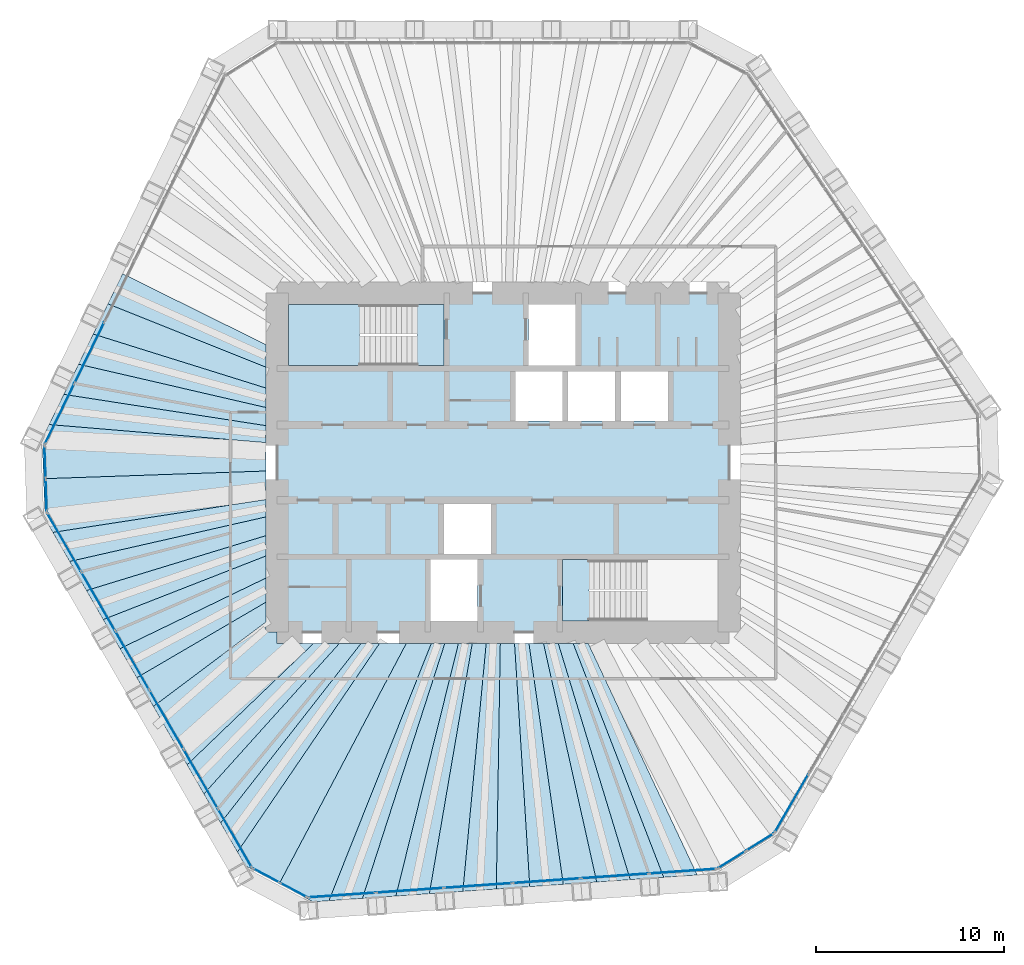
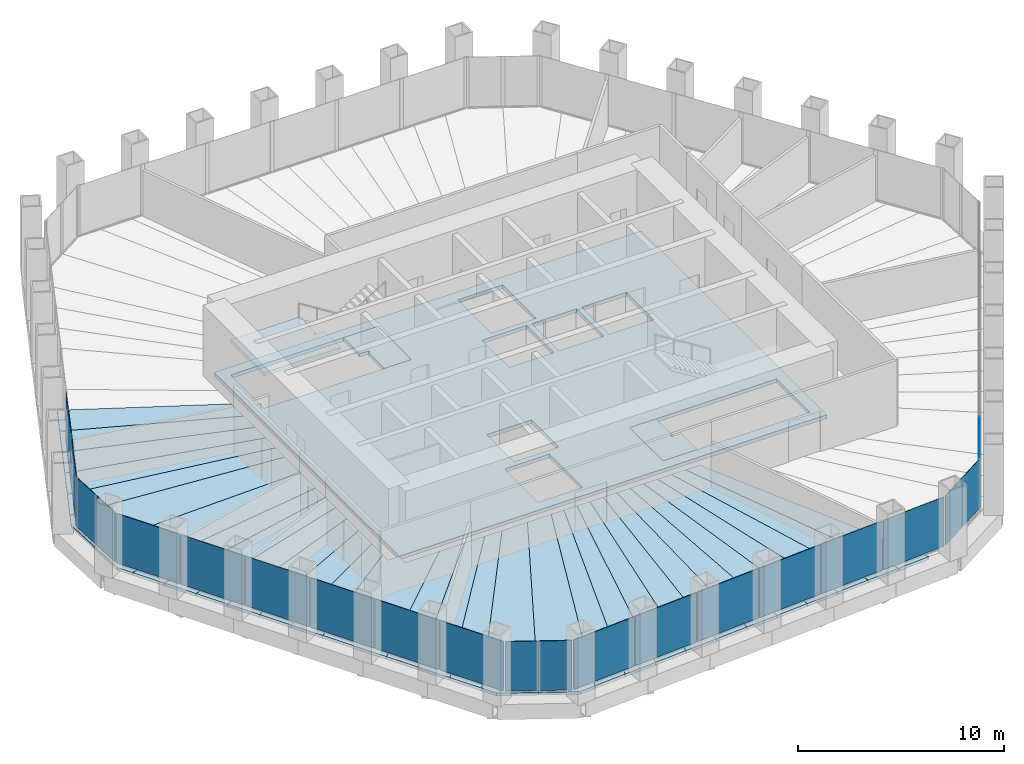
# One storey, part 7 of 12: 34 slabs, 21 plates, 9 elements without a shape of their own.
"""IFC4 building model written with IfcOpenShell, lengths in metres."""

from ifc_helpers import new_model, si_unit, direction, frame, origin, origin_2d, place, context, subcontext, project, spatial, polyline, rectangle, outline, extrude, material, layer, layer_set, type_object, element, aggregate, save


model = new_model("IFC4")

# Units and contexts
model_context = context("Model", 3, precision=1e-05, world=origin(), true_north=direction((0.0, 1.0)))
body_context = subcontext(model_context, "Body", "Model", "MODEL_VIEW")
ifc_project = project(units=[si_unit("LENGTHUNIT", "METRE"), si_unit("AREAUNIT", "SQUARE_METRE"), si_unit("VOLUMEUNIT", "CUBIC_METRE"), si_unit("PLANEANGLEUNIT", "RADIAN"), si_unit("MASSUNIT", "GRAM", prefix="KILO")], contexts=[model_context])

# Site, building, storey
site_placement = place(None, origin())
site = spatial("IfcSite", under=ifc_project, at=site_placement, CompositionType="ELEMENT")
building_placement = place(site_placement, origin())
building = spatial("IfcBuilding", under=site, at=building_placement, Name="Qingtian Harvest Tower", CompositionType="ELEMENT")
storey_placement = place(building_placement, frame((0.0, 0.0, 251.800048828125)))
storey = spatial("IfcBuildingStorey", under=building, at=storey_placement, Name="L55", CompositionType="ELEMENT", Elevation=251.800048828125)

# Slabs
ifc_material_1 = material(Name="Concrete fc' 35 MPa", Category="concrete")
ifc_layer_1 = layer(ifc_material_1, 0.169921875)
ifc_layer_set_1 = layer_set([ifc_layer_1], Name="Composite floor slab FS17 170")
slab_type_1 = type_object("IfcSlabType", Name="Composite floor slab FS17 170", PredefinedType="FLOOR", material=ifc_layer_set_1)
slab_1_placement = place(storey_placement, frame((0.0, 0.0, -0.170166015625)))
element("IfcSlab", 1, at=slab_1_placement, inside=storey, type_object=slab_type_1, Name="Floor slab L55 panel D01", PredefinedType="FLOOR", context=body_context, shape_type="SweptSolid", body=[
    extrude(outline(polyline([(-24.403564453125, -0.852294921875), (-12.60009765625, -0.443115234375), (-12.60009765625, -1.958984375), (-23.9072265625, -3.701416015625), (-24.32958984375, -2.969970703125), (-24.403564453125, -0.852294921875)])), origin(), (0.0, 0.0, 1.0), 0.170166015625),
])
slab_2_placement = place(storey_placement, frame((0.0, 0.0, -0.170166015625)))
element("IfcSlab", 2, at=slab_2_placement, inside=storey, type_object=slab_type_1, Name="Floor slab L55 panel D02", PredefinedType="FLOOR", context=body_context, shape_type="SweptSolid", body=[
    extrude(outline(polyline([(-12.60009765625, -2.880126953125), (-23.016357421875, -5.244384765625), (-23.9072265625, -3.701416015625), (-12.60009765625, -1.958984375), (-12.60009765625, -2.880126953125)])), origin(), (0.0, 0.0, 1.0), 0.170166015625),
])
slab_3_placement = place(storey_placement, frame((0.0, 0.0, -0.170166015625)))
element("IfcSlab", 3, at=slab_3_placement, inside=storey, type_object=slab_type_1, Name="Floor slab L55 panel D03", PredefinedType="FLOOR", context=body_context, shape_type="SweptSolid", body=[
    extrude(outline(polyline([(-12.60009765625, -3.87548828125), (-22.12548828125, -6.78759765625), (-23.016357421875, -5.244384765625), (-12.60009765625, -2.880126953125), (-12.60009765625, -3.87548828125)])), origin(), (0.0, 0.0, 1.0), 0.170166015625),
])
slab_4_placement = place(storey_placement, frame((0.0, 0.0, -0.170166015625)))
element("IfcSlab", 4, at=slab_4_placement, inside=storey, type_object=slab_type_1, Name="Floor slab L55 panel D04", PredefinedType="FLOOR", context=body_context, shape_type="SweptSolid", body=[
    extrude(outline(polyline([(-12.60009765625, -4.95458984375), (-21.234619140625, -8.33056640625), (-22.12548828125, -6.78759765625), (-12.60009765625, -3.87548828125), (-12.60009765625, -4.95458984375)])), origin(), (0.0, 0.0, 1.0), 0.170166015625),
])
slab_5_placement = place(storey_placement, frame((0.0, 0.0, -0.170166015625)))
element("IfcSlab", 5, at=slab_5_placement, inside=storey, type_object=slab_type_1, Name="Floor slab L55 panel D05", PredefinedType="FLOOR", context=body_context, shape_type="SweptSolid", body=[
    extrude(outline(polyline([(-12.60009765625, -6.128173828125), (-20.34375, -9.87353515625), (-21.234619140625, -8.33056640625), (-12.60009765625, -4.95458984375), (-12.60009765625, -6.128173828125)])), origin(), (0.0, 0.0, 1.0), 0.170166015625),
])
slab_6_placement = place(storey_placement, frame((0.0, 0.0, -0.170166015625)))
element("IfcSlab", 6, at=slab_6_placement, inside=storey, type_object=slab_type_1, Name="Floor slab L55 panel D06", PredefinedType="FLOOR", context=body_context, shape_type="SweptSolid", body=[
    extrude(outline(polyline([(-12.60009765625, -7.409423828125), (-19.452880859375, -11.41650390625), (-20.34375, -9.87353515625), (-12.60009765625, -6.128173828125), (-12.60009765625, -7.409423828125)])), origin(), (0.0, 0.0, 1.0), 0.170166015625),
])
slab_7_placement = place(storey_placement, frame((0.0, 0.0, -0.170166015625)))
element("IfcSlab", 7, at=slab_7_placement, inside=storey, type_object=slab_type_1, Name="Floor slab L55 panel D07", PredefinedType="FLOOR", context=body_context, shape_type="SweptSolid", body=[
    extrude(outline(polyline([(-12.60009765625, -8.46435546875), (-18.5703125, -12.9453125), (-19.452880859375, -11.41650390625), (-12.60009765625, -7.409423828125), (-12.60009765625, -8.46435546875)])), origin(), (0.0, 0.0, 1.0), 0.170166015625),
])
slab_8_placement = place(storey_placement, frame((0.0, 0.0, -0.170166015625)))
element("IfcSlab", 8, at=slab_8_placement, inside=storey, type_object=slab_type_1, Name="Floor slab L55 panel D09", PredefinedType="FLOOR", context=body_context, shape_type="SweptSolid", body=[
    extrude(outline(polyline([(-16.781494140625, -16.043701171875), (-18.5703125, -12.9453125), (-12.60009765625, -8.46435546875), (-12.60009765625, -9.0), (-12.0, -9.0), (-12.0, -9.60009765625), (-10.07666015625, -9.60009765625), (-16.781494140625, -16.043701171875)])), origin(), (0.0, 0.0, 1.0), 0.170166015625),
])
slab_9_placement = place(storey_placement, frame((0.0, 0.0, -0.170166015625)))
element("IfcSlab", 9, at=slab_9_placement, inside=storey, type_object=slab_type_1, Name="Floor slab L55 panel D10", PredefinedType="FLOOR", context=body_context, shape_type="SweptSolid", body=[
    extrude(outline(polyline([(-8.700927734375, -9.60009765625), (-15.890380859375, -17.5869140625), (-16.781494140625, -16.043701171875), (-10.07666015625, -9.60009765625), (-8.700927734375, -9.60009765625)])), origin(), (0.0, 0.0, 1.0), 0.170166015625),
])
slab_10_placement = place(storey_placement, frame((0.0, 0.0, -0.170166015625)))
element("IfcSlab", 10, at=slab_10_placement, inside=storey, type_object=slab_type_1, Name="Floor slab L55 panel D11", PredefinedType="FLOOR", context=body_context, shape_type="SweptSolid", body=[
    extrude(outline(polyline([(-7.548095703125, -9.60009765625), (-14.99951171875, -19.1298828125), (-15.890380859375, -17.5869140625), (-8.700927734375, -9.60009765625), (-7.548095703125, -9.60009765625)])), origin(), (0.0, 0.0, 1.0), 0.170166015625),
])
slab_11_placement = place(storey_placement, frame((0.0, 0.0, -0.170166015625)))
element("IfcSlab", 11, at=slab_11_placement, inside=storey, type_object=slab_type_1, Name="Floor slab L55 panel D12", PredefinedType="FLOOR", context=body_context, shape_type="SweptSolid", body=[
    extrude(outline(polyline([(-6.568359375, -9.60009765625), (-14.108642578125, -20.673095703125), (-14.99951171875, -19.1298828125), (-7.548095703125, -9.60009765625), (-6.568359375, -9.60009765625)])), origin(), (0.0, 0.0, 1.0), 0.170166015625),
])
slab_12_placement = place(storey_placement, frame((0.0, 0.0, -0.170166015625)))
element("IfcSlab", 12, at=slab_12_placement, inside=storey, type_object=slab_type_1, Name="Floor slab L55 panel D13", PredefinedType="FLOOR", context=body_context, shape_type="SweptSolid", body=[
    extrude(outline(polyline([(-6.568359375, -9.60009765625), (-5.14501953125, -9.60009765625), (-11.890380859375, -22.359619140625), (-13.686279296875, -21.40478515625), (-14.108642578125, -20.673095703125), (-6.568359375, -9.60009765625)])), origin(), (0.0, 0.0, 1.0), 0.170166015625),
])
slab_13_placement = place(storey_placement, frame((0.0, 0.0, -0.170166015625)))
element("IfcSlab", 13, at=slab_13_placement, inside=storey, type_object=slab_type_1, Name="Floor slab L55 panel D14", PredefinedType="FLOOR", context=body_context, shape_type="SweptSolid", body=[
    extrude(outline(polyline([(-5.14501953125, -9.60009765625), (-3.817138671875, -9.60009765625), (-9.249755859375, -23.2568359375), (-10.092041015625, -23.315673828125), (-11.890380859375, -22.359619140625), (-5.14501953125, -9.60009765625)])), origin(), (0.0, 0.0, 1.0), 0.170166015625),
])
slab_14_placement = place(storey_placement, frame((0.0, 0.0, -0.170166015625)))
element("IfcSlab", 14, at=slab_14_placement, inside=storey, type_object=slab_type_1, Name="Floor slab L55 panel D15", PredefinedType="FLOOR", context=body_context, shape_type="SweptSolid", body=[
    extrude(outline(polyline([(-3.10009765625, -9.60009765625), (-7.472412109375, -23.132568359375), (-9.249755859375, -23.2568359375), (-3.817138671875, -9.60009765625), (-3.10009765625, -9.60009765625)])), origin(), (0.0, 0.0, 1.0), 0.170166015625),
])
slab_15_placement = place(storey_placement, frame((0.0, 0.0, -0.170166015625)))
element("IfcSlab", 15, at=slab_15_placement, inside=storey, type_object=slab_type_1, Name="Floor slab L55 panel D16", PredefinedType="FLOOR", context=body_context, shape_type="SweptSolid", body=[
    extrude(outline(polyline([(-2.375244140625, -9.60009765625), (-5.695068359375, -23.00830078125), (-7.472412109375, -23.132568359375), (-3.10009765625, -9.60009765625), (-2.375244140625, -9.60009765625)])), origin(), (0.0, 0.0, 1.0), 0.170166015625),
])
slab_16_placement = place(storey_placement, frame((0.0, 0.0, -0.170166015625)))
element("IfcSlab", 16, at=slab_16_placement, inside=storey, type_object=slab_type_1, Name="Floor slab L55 panel D17", PredefinedType="FLOOR", context=body_context, shape_type="SweptSolid", body=[
    extrude(outline(polyline([(-1.642578125, -9.60009765625), (-3.91796875, -22.884033203125), (-5.695068359375, -23.00830078125), (-2.375244140625, -9.60009765625), (-1.642578125, -9.60009765625)])), origin(), (0.0, 0.0, 1.0), 0.170166015625),
])
slab_17_placement = place(storey_placement, frame((0.0, 0.0, -0.170166015625)))
element("IfcSlab", 17, at=slab_17_placement, inside=storey, type_object=slab_type_1, Name="Floor slab L55 panel D18", PredefinedType="FLOOR", context=body_context, shape_type="SweptSolid", body=[
    extrude(outline(polyline([(-0.90185546875, -9.60009765625), (-2.140625, -22.759765625), (-3.91796875, -22.884033203125), (-1.642578125, -9.60009765625), (-0.90185546875, -9.60009765625)])), origin(), (0.0, 0.0, 1.0), 0.170166015625),
])
slab_18_placement = place(storey_placement, frame((0.0, 0.0, -0.170166015625)))
element("IfcSlab", 18, at=slab_18_placement, inside=storey, type_object=slab_type_1, Name="Floor slab L55 panel D19", PredefinedType="FLOOR", context=body_context, shape_type="SweptSolid", body=[
    extrude(outline(polyline([(-0.153076171875, -9.60009765625), (-0.36328125, -22.635498046875), (-2.140625, -22.759765625), (-0.90185546875, -9.60009765625), (-0.153076171875, -9.60009765625)])), origin(), (0.0, 0.0, 1.0), 0.170166015625),
])
slab_19_placement = place(storey_placement, frame((0.0, 0.0, -0.170166015625)))
element("IfcSlab", 19, at=slab_19_placement, inside=storey, type_object=slab_type_1, Name="Floor slab L55 panel D20", PredefinedType="FLOOR", context=body_context, shape_type="SweptSolid", body=[
    extrude(outline(polyline([(0.60400390625, -9.60009765625), (1.4140625, -22.51123046875), (-0.36328125, -22.635498046875), (-0.153076171875, -9.60009765625), (0.60400390625, -9.60009765625)])), origin(), (0.0, 0.0, 1.0), 0.170166015625),
])
slab_20_placement = place(storey_placement, frame((0.0, 0.0, -0.170166015625)))
element("IfcSlab", 20, at=slab_20_placement, inside=storey, type_object=slab_type_1, Name="Floor slab L55 panel D21", PredefinedType="FLOOR", context=body_context, shape_type="SweptSolid", body=[
    extrude(outline(polyline([(1.36962890625, -9.60009765625), (3.191162109375, -22.386962890625), (1.4140625, -22.51123046875), (0.60400390625, -9.60009765625), (1.36962890625, -9.60009765625)])), origin(), (0.0, 0.0, 1.0), 0.170166015625),
])
slab_21_placement = place(storey_placement, frame((0.0, 0.0, -0.170166015625)))
element("IfcSlab", 21, at=slab_21_placement, inside=storey, type_object=slab_type_1, Name="Floor slab L55 panel D22", PredefinedType="FLOOR", context=body_context, shape_type="SweptSolid", body=[
    extrude(outline(polyline([(2.1435546875, -9.60009765625), (4.968505859375, -22.2626953125), (3.191162109375, -22.386962890625), (1.36962890625, -9.60009765625), (2.1435546875, -9.60009765625)])), origin(), (0.0, 0.0, 1.0), 0.170166015625),
])
slab_22_placement = place(storey_placement, frame((0.0, 0.0, -0.170166015625)))
element("IfcSlab", 22, at=slab_22_placement, inside=storey, type_object=slab_type_1, Name="Floor slab L55 panel D23", PredefinedType="FLOOR", context=body_context, shape_type="SweptSolid", body=[
    extrude(outline(polyline([(2.92626953125, -9.60009765625), (6.745849609375, -22.138427734375), (4.968505859375, -22.2626953125), (2.1435546875, -9.60009765625), (2.92626953125, -9.60009765625)])), origin(), (0.0, 0.0, 1.0), 0.170166015625),
])
slab_23_placement = place(storey_placement, frame((0.0, 0.0, -0.170166015625)))
element("IfcSlab", 23, at=slab_23_placement, inside=storey, type_object=slab_type_1, Name="Floor slab L55 panel D24", PredefinedType="FLOOR", context=body_context, shape_type="SweptSolid", body=[
    extrude(outline(polyline([(3.718017578125, -9.60009765625), (8.523193359375, -22.01416015625), (6.745849609375, -22.138427734375), (2.92626953125, -9.60009765625), (3.718017578125, -9.60009765625)])), origin(), (0.0, 0.0, 1.0), 0.170166015625),
])
slab_24_placement = place(storey_placement, frame((0.0, 0.0, -0.170166015625)))
element("IfcSlab", 24, at=slab_24_placement, inside=storey, type_object=slab_type_1, Name="Floor slab L55 panel D25", PredefinedType="FLOOR", context=body_context, shape_type="SweptSolid", body=[
    extrude(outline(polyline([(4.5185546875, -9.60009765625), (10.30029296875, -21.889892578125), (8.523193359375, -22.01416015625), (3.718017578125, -9.60009765625), (4.5185546875, -9.60009765625)])), origin(), (0.0, 0.0, 1.0), 0.170166015625),
])
slab_25_placement = place(storey_placement, frame((0.0, 0.0, -0.170166015625)))
element("IfcSlab", 25, at=slab_25_placement, inside=storey, type_object=slab_type_1, Name="Floor slab L55 panel D73", PredefinedType="FLOOR", context=body_context, shape_type="SweptSolid", body=[
    extrude(outline(polyline([(-12.60009765625, 5.072509765625), (-20.983154296875, 8.43017578125), (-20.201904296875, 10.031494140625), (-12.60009765625, 6.268310546875), (-12.60009765625, 5.072509765625)])), origin(), (0.0, 0.0, 1.0), 0.170166015625),
])
slab_26_placement = place(storey_placement, frame((0.0, 0.0, -0.170166015625)))
element("IfcSlab", 26, at=slab_26_placement, inside=storey, type_object=slab_type_1, Name="Floor slab L55 panel D74", PredefinedType="FLOOR", context=body_context, shape_type="SweptSolid", body=[
    extrude(outline(polyline([(-12.60009765625, 3.962890625), (-21.76416015625, 6.828857421875), (-20.983154296875, 8.43017578125), (-12.60009765625, 5.072509765625), (-12.60009765625, 3.962890625)])), origin(), (0.0, 0.0, 1.0), 0.170166015625),
])
slab_27_placement = place(storey_placement, frame((0.0, 0.0, -0.170166015625)))
element("IfcSlab", 27, at=slab_27_placement, inside=storey, type_object=slab_type_1, Name="Floor slab L55 panel D75", PredefinedType="FLOOR", context=body_context, shape_type="SweptSolid", body=[
    extrude(outline(polyline([(-12.60009765625, 2.929931640625), (-22.545166015625, 5.2275390625), (-21.76416015625, 6.828857421875), (-12.60009765625, 3.962890625), (-12.60009765625, 2.929931640625)])), origin(), (0.0, 0.0, 1.0), 0.170166015625),
])
slab_28_placement = place(storey_placement, frame((0.0, 0.0, -0.170166015625)))
element("IfcSlab", 28, at=slab_28_placement, inside=storey, type_object=slab_type_1, Name="Floor slab L55 panel D76", PredefinedType="FLOOR", context=body_context, shape_type="SweptSolid", body=[
    extrude(outline(polyline([(-12.60009765625, 1.96630859375), (-23.326171875, 3.626220703125), (-22.545166015625, 5.2275390625), (-12.60009765625, 2.929931640625), (-12.60009765625, 1.96630859375)])), origin(), (0.0, 0.0, 1.0), 0.170166015625),
])
slab_29_placement = place(storey_placement, frame((0.0, 0.0, -0.170166015625)))
element("IfcSlab", 29, at=slab_29_placement, inside=storey, type_object=slab_type_1, Name="Floor slab L55 panel D77", PredefinedType="FLOOR", context=body_context, shape_type="SweptSolid", body=[
    extrude(outline(polyline([(-12.60009765625, 1.065185546875), (-24.107177734375, 2.02490234375), (-23.326171875, 3.626220703125), (-12.60009765625, 1.96630859375), (-12.60009765625, 1.065185546875)])), origin(), (0.0, 0.0, 1.0), 0.170166015625),
])
slab_30_placement = place(storey_placement, frame((0.0, 0.0, -0.170166015625)))
element("IfcSlab", 30, at=slab_30_placement, inside=storey, type_object=slab_type_1, Name="Floor slab L55 panel D78", PredefinedType="FLOOR", context=body_context, shape_type="SweptSolid", body=[
    extrude(outline(polyline([(-12.60009765625, 1.065185546875), (-12.60009765625, -0.443115234375), (-24.403564453125, -0.852294921875), (-24.4775390625, 1.265625), (-24.107177734375, 2.02490234375), (-12.60009765625, 1.065185546875)])), origin(), (0.0, 0.0, 1.0), 0.170166015625),
])
ifc_material_2 = material(Name="Concrete fc' 35 MPa", Category="concrete")
ifc_layer_2 = layer(ifc_material_2, 0.219970703125)
ifc_layer_set_2 = layer_set([ifc_layer_2], Name="Core floor slab CS22 220")
slab_type_2 = type_object("IfcSlabType", Name="Core floor slab CS22 220", PredefinedType="FLOOR", material=ifc_layer_set_2)
slab_31_placement = place(storey_placement, frame((0.0, 0.0, -0.219970703125)))
element("IfcSlab", 31, at=slab_31_placement, inside=storey, type_object=slab_type_2, Name="Core floor slab L55", PredefinedType="FLOOR", context=body_context, shape_type="SweptSolid", body=[
    extrude(outline(polyline([(-12.0, -9.0), (12.0, -9.0), (12.0, 9.0), (-12.0, 9.0), (-12.0, -9.0)]), holes=[polyline([(-11.39990234375, 5.14990234375), (-3.14990234375, 5.14990234375), (-3.14990234375, 8.39990234375), (-11.39990234375, 8.39990234375), (-11.39990234375, 5.14990234375)]), polyline([(3.14990234375, -8.39990234375), (11.39990234375, -8.39990234375), (11.39990234375, -5.14990234375), (3.14990234375, -5.14990234375), (3.14990234375, -8.39990234375)]), polyline([(1.35009765625, 5.14990234375), (3.85009765625, 5.14990234375), (3.85009765625, 8.39990234375), (1.35009765625, 8.39990234375), (1.35009765625, 5.14990234375)]), polyline([(-3.85009765625, -8.39990234375), (-1.35009765625, -8.39990234375), (-1.35009765625, -5.14990234375), (-3.85009765625, -5.14990234375), (-3.85009765625, -8.39990234375)]), polyline([(0.64990234375, 2.199951171875), (3.14990234375, 2.199951171875), (3.14990234375, 4.85009765625), (0.64990234375, 4.85009765625), (0.64990234375, 2.199951171875)]), polyline([(3.449951171875, 2.199951171875), (5.949951171875, 2.199951171875), (5.949951171875, 4.85009765625), (3.449951171875, 4.85009765625), (3.449951171875, 2.199951171875)]), polyline([(6.25, 2.199951171875), (8.75, 2.199951171875), (8.75, 4.85009765625), (6.25, 4.85009765625), (6.25, 2.199951171875)]), polyline([(-3.14990234375, -4.85009765625), (-0.64990234375, -4.85009765625), (-0.64990234375, -2.199951171875), (-3.14990234375, -2.199951171875), (-3.14990234375, -4.85009765625)])]), origin(), (0.0, 0.0, 1.0), 0.219970703125),
])

# Curtain wall, plate
ifc_material_3 = material(Name="Bronze-anodised aluminium curtain wall", Category="aluminium")
curtain_wall_type = type_object("IfcCurtainWallType", Name="Curtain wall CW4 office", PredefinedType="USERDEFINED", material=ifc_material_3)
curtain_wall_1_placement = place(storey_placement, origin())
curtain_wall_1 = element("IfcCurtainWall", 32, at=curtain_wall_1_placement, inside=storey, type_object=curtain_wall_type, Name="Curtain wall CW4 L55 SE0-5", ObjectType="RECESSED CURTAIN WALL", PredefinedType="USERDEFINED")
ifc_material_4 = material(Name="Bronze-tinted laminated insulating glass", Category="glass")
ifc_layer_3 = layer(ifc_material_4, 0.030029296875)
ifc_layer_set_3 = layer_set([ifc_layer_3], Name="Glazed panel CWP tinted IGU")
plate_type = type_object("IfcPlateType", Name="Glazed panel CWP tinted IGU", PredefinedType="CURTAIN_PANEL", material=ifc_layer_set_3)
plate_1_placement = place(storey_placement, frame((15.314208984375, -18.074951171875, 0.06494140625), z_axis=(0.0, 0.0, 1.0), x_axis=(-0.5, -0.866025403784, 0.0)))
plate_1 = element("IfcPlate", 33, at=plate_1_placement, type_object=plate_type, Name="CW4 panel 6.1", PredefinedType="CURTAIN_PANEL", context=body_context, shape_type="SweptSolid", body=[
    extrude(rectangle(XDim=3.5361328125, YDim=0.030029296875, at=origin_2d()), origin(), (0.0, 0.0, 1.0), 2.93505859375),
])
aggregate(curtain_wall_1, [plate_1])

# Curtain wall, plates
curtain_wall_2_placement = place(storey_placement, origin())
curtain_wall_2 = element("IfcCurtainWall", 34, at=curtain_wall_2_placement, inside=storey, type_object=curtain_wall_type, Name="Curtain wall CW4 L55 SEC", ObjectType="RECESSED CURTAIN WALL", PredefinedType="USERDEFINED")
plate_2_placement = place(storey_placement, frame((13.624755859375, -20.1455078125, 0.06494140625), z_axis=(0.0, 0.0, 1.0), x_axis=(-0.848048096156, -0.529919264233, 0.0)))
plate_2 = element("IfcPlate", 35, at=plate_2_placement, type_object=plate_type, Name="CW4 panel 1.1", PredefinedType="CURTAIN_PANEL", context=body_context, shape_type="SweptSolid", body=[
    extrude(rectangle(XDim=1.69287109375, YDim=0.030029296875, at=origin_2d()), origin(), (0.0, 0.0, 1.0), 2.93505859375),
])
plate_3_placement = place(storey_placement, frame((12.134033203125, -21.076904296875, 0.06494140625), z_axis=(0.0, 0.0, 1.0), x_axis=(-0.848048096156, -0.529919264233, 0.0)))
plate_3 = element("IfcPlate", 36, at=plate_3_placement, type_object=plate_type, Name="CW4 panel 2.1", PredefinedType="CURTAIN_PANEL", context=body_context, shape_type="SweptSolid", body=[
    extrude(rectangle(XDim=1.69287109375, YDim=0.030029296875, at=origin_2d()), origin(), (0.0, 0.0, 1.0), 2.93505859375),
])
aggregate(curtain_wall_2, [plate_2, plate_3])

curtain_wall_3_placement = place(storey_placement, origin())
curtain_wall_3 = element("IfcCurtainWall", 37, at=curtain_wall_3_placement, inside=storey, type_object=curtain_wall_type, Name="Curtain wall CW4 L55 S0-5", ObjectType="RECESSED CURTAIN WALL", PredefinedType="USERDEFINED")
plate_4_placement = place(storey_placement, frame((9.532470703125, -21.68798828125, 0.06494140625), z_axis=(0.0, 0.0, 1.0), x_axis=(-0.99756405026, -0.069756473744, 0.0)))
plate_4 = element("IfcPlate", 38, at=plate_4_placement, type_object=plate_type, Name="CW4 panel 1.1", PredefinedType="CURTAIN_PANEL", context=body_context, shape_type="SweptSolid", body=[
    extrude(rectangle(XDim=3.5361328125, YDim=0.030029296875, at=origin_2d()), origin(), (0.0, 0.0, 1.0), 2.93505859375),
])
plate_5_placement = place(storey_placement, frame((5.923828125, -21.940185546875, 0.06494140625), z_axis=(0.0, 0.0, 1.0), x_axis=(-0.99756405026, -0.069756473744, 0.0)))
plate_5 = element("IfcPlate", 39, at=plate_5_placement, type_object=plate_type, Name="CW4 panel 2.1", PredefinedType="CURTAIN_PANEL", context=body_context, shape_type="SweptSolid", body=[
    extrude(rectangle(XDim=3.568603515625, YDim=0.030029296875, at=origin_2d()), origin(), (0.0, 0.0, 1.0), 2.93505859375),
])
plate_6_placement = place(storey_placement, frame((2.299072265625, -22.193603515625, 0.06494140625), z_axis=(0.0, 0.0, 1.0), x_axis=(-0.99756405026, -0.069756473744, 0.0)))
plate_6 = element("IfcPlate", 40, at=plate_6_placement, type_object=plate_type, Name="CW4 panel 3.1", PredefinedType="CURTAIN_PANEL", context=body_context, shape_type="SweptSolid", body=[
    extrude(rectangle(XDim=3.568603515625, YDim=0.030029296875, at=origin_2d()), origin(), (0.0, 0.0, 1.0), 2.93505859375),
])
plate_7_placement = place(storey_placement, frame((-1.325439453125, -22.447021484375, 0.06494140625), z_axis=(0.0, 0.0, 1.0), x_axis=(-0.99756405026, -0.069756473744, 0.0)))
plate_7 = element("IfcPlate", 41, at=plate_7_placement, type_object=plate_type, Name="CW4 panel 4.1", PredefinedType="CURTAIN_PANEL", context=body_context, shape_type="SweptSolid", body=[
    extrude(rectangle(XDim=3.568603515625, YDim=0.030029296875, at=origin_2d()), origin(), (0.0, 0.0, 1.0), 2.93505859375),
])
plate_8_placement = place(storey_placement, frame((-4.9501953125, -22.70068359375, 0.06494140625), z_axis=(0.0, 0.0, 1.0), x_axis=(-0.99756405026, -0.069756473744, 0.0)))
plate_8 = element("IfcPlate", 42, at=plate_8_placement, type_object=plate_type, Name="CW4 panel 5.1", PredefinedType="CURTAIN_PANEL", context=body_context, shape_type="SweptSolid", body=[
    extrude(rectangle(XDim=3.568603515625, YDim=0.030029296875, at=origin_2d()), origin(), (0.0, 0.0, 1.0), 2.93505859375),
])
plate_9_placement = place(storey_placement, frame((-8.55859375, -22.952880859375, 0.06494140625), z_axis=(0.0, 0.0, 1.0), x_axis=(-0.99756405026, -0.069756473744, 0.0)))
plate_9 = element("IfcPlate", 43, at=plate_9_placement, type_object=plate_type, Name="CW4 panel 6.1", PredefinedType="CURTAIN_PANEL", context=body_context, shape_type="SweptSolid", body=[
    extrude(rectangle(XDim=3.5361328125, YDim=0.030029296875, at=origin_2d()), origin(), (0.0, 0.0, 1.0), 2.93505859375),
])
aggregate(curtain_wall_3, [plate_4, plate_5, plate_6, plate_7, plate_8, plate_9])

curtain_wall_4_placement = place(storey_placement, origin())
curtain_wall_4 = element("IfcCurtainWall", 44, at=curtain_wall_4_placement, inside=storey, type_object=curtain_wall_type, Name="Curtain wall CW4 L55 SC", ObjectType="RECESSED CURTAIN WALL", PredefinedType="USERDEFINED")
plate_10_placement = place(storey_placement, frame((-11.136474609375, -22.682373046875, 0.06494140625), z_axis=(0.0, 0.0, 1.0), x_axis=(-0.882947592859, 0.469471562786, 0.0)))
plate_10 = element("IfcPlate", 45, at=plate_10_placement, type_object=plate_type, Name="CW4 panel 1.1", PredefinedType="CURTAIN_PANEL", context=body_context, shape_type="SweptSolid", body=[
    extrude(rectangle(XDim=1.56689453125, YDim=0.030029296875, at=origin_2d()), origin(), (0.0, 0.0, 1.0), 2.93505859375),
])
plate_11_placement = place(storey_placement, frame((-12.5771484375, -21.916259765625, 0.06494140625), z_axis=(0.0, 0.0, 1.0), x_axis=(-0.882947592859, 0.469471562786, 0.0)))
plate_11 = element("IfcPlate", 46, at=plate_11_placement, type_object=plate_type, Name="CW4 panel 2.1", PredefinedType="CURTAIN_PANEL", context=body_context, shape_type="SweptSolid", body=[
    extrude(rectangle(XDim=1.56689453125, YDim=0.030029296875, at=origin_2d()), origin(), (0.0, 0.0, 1.0), 2.93505859375),
])
aggregate(curtain_wall_4, [plate_10, plate_11])

curtain_wall_5_placement = place(storey_placement, origin())
curtain_wall_5 = element("IfcCurtainWall", 47, at=curtain_wall_5_placement, inside=storey, type_object=curtain_wall_type, Name="Curtain wall CW4 L55 SW0-5", ObjectType="RECESSED CURTAIN WALL", PredefinedType="USERDEFINED")
plate_12_placement = place(storey_placement, frame((-14.242919921875, -19.9306640625, 0.06494140625), z_axis=(0.0, 0.0, 1.0), x_axis=(-0.5, 0.866025403784, 0.0)))
plate_12 = element("IfcPlate", 48, at=plate_12_placement, type_object=plate_type, Name="CW4 panel 1.1", PredefinedType="CURTAIN_PANEL", context=body_context, shape_type="SweptSolid", body=[
    extrude(rectangle(XDim=3.5361328125, YDim=0.030029296875, at=origin_2d()), origin(), (0.0, 0.0, 1.0), 2.93505859375),
])
plate_13_placement = place(storey_placement, frame((-16.051513671875, -16.7978515625, 0.06494140625), z_axis=(0.0, 0.0, 1.0), x_axis=(-0.5, 0.866025403784, 0.0)))
plate_13 = element("IfcPlate", 49, at=plate_13_placement, type_object=plate_type, Name="CW4 panel 2.1", PredefinedType="CURTAIN_PANEL", context=body_context, shape_type="SweptSolid", body=[
    extrude(rectangle(XDim=3.568603515625, YDim=0.030029296875, at=origin_2d()), origin(), (0.0, 0.0, 1.0), 2.93505859375),
])
plate_14_placement = place(storey_placement, frame((-17.868408203125, -13.651123046875, 0.06494140625), z_axis=(0.0, 0.0, 1.0), x_axis=(-0.5, 0.866025403784, 0.0)))
plate_14 = element("IfcPlate", 50, at=plate_14_placement, type_object=plate_type, Name="CW4 panel 3.1", PredefinedType="CURTAIN_PANEL", context=body_context, shape_type="SweptSolid", body=[
    extrude(rectangle(XDim=3.568603515625, YDim=0.030029296875, at=origin_2d()), origin(), (0.0, 0.0, 1.0), 2.93505859375),
])
plate_15_placement = place(storey_placement, frame((-19.68505859375, -10.50439453125, 0.06494140625), z_axis=(0.0, 0.0, 1.0), x_axis=(-0.5, 0.866025403784, 0.0)))
plate_15 = element("IfcPlate", 51, at=plate_15_placement, type_object=plate_type, Name="CW4 panel 4.1", PredefinedType="CURTAIN_PANEL", context=body_context, shape_type="SweptSolid", body=[
    extrude(rectangle(XDim=3.568603515625, YDim=0.030029296875, at=origin_2d()), origin(), (0.0, 0.0, 1.0), 2.93505859375),
])
plate_16_placement = place(storey_placement, frame((-21.501953125, -7.357666015625, 0.06494140625), z_axis=(0.0, 0.0, 1.0), x_axis=(-0.5, 0.866025403784, 0.0)))
plate_16 = element("IfcPlate", 52, at=plate_16_placement, type_object=plate_type, Name="CW4 panel 5.1", PredefinedType="CURTAIN_PANEL", context=body_context, shape_type="SweptSolid", body=[
    extrude(rectangle(XDim=3.568603515625, YDim=0.030029296875, at=origin_2d()), origin(), (0.0, 0.0, 1.0), 2.93505859375),
])
plate_17_placement = place(storey_placement, frame((-23.310546875, -4.22509765625, 0.06494140625), z_axis=(0.0, 0.0, 1.0), x_axis=(-0.5, 0.866025403784, 0.0)))
plate_17 = element("IfcPlate", 53, at=plate_17_placement, type_object=plate_type, Name="CW4 panel 6.1", PredefinedType="CURTAIN_PANEL", context=body_context, shape_type="SweptSolid", body=[
    extrude(rectangle(XDim=3.5361328125, YDim=0.030029296875, at=origin_2d()), origin(), (0.0, 0.0, 1.0), 2.93505859375),
])
aggregate(curtain_wall_5, [plate_12, plate_13, plate_14, plate_15, plate_16, plate_17])

curtain_wall_6_placement = place(storey_placement, origin())
curtain_wall_6 = element("IfcCurtainWall", 54, at=curtain_wall_6_placement, inside=storey, type_object=curtain_wall_type, Name="Curtain wall CW4 L55 SWC", ObjectType="RECESSED CURTAIN WALL", PredefinedType="USERDEFINED")
plate_18_placement = place(storey_placement, frame((-24.2587890625, -1.7265625, 0.06494140625), z_axis=(0.0, 0.0, 1.0), x_axis=(-0.034899496703, 0.999390827019, 0.0)))
plate_18 = element("IfcPlate", 55, at=plate_18_placement, type_object=plate_type, Name="CW4 panel 1.1", PredefinedType="CURTAIN_PANEL", context=body_context, shape_type="SweptSolid", body=[
    extrude(rectangle(XDim=1.69287109375, YDim=0.030029296875, at=origin_2d()), origin(), (0.0, 0.0, 1.0), 2.93505859375),
])
plate_19_placement = place(storey_placement, frame((-24.320068359375, 0.0302734375, 0.06494140625), z_axis=(0.0, 0.0, 1.0), x_axis=(-0.034899496703, 0.999390827019, 0.0)))
plate_19 = element("IfcPlate", 56, at=plate_19_placement, type_object=plate_type, Name="CW4 panel 2.1", PredefinedType="CURTAIN_PANEL", context=body_context, shape_type="SweptSolid", body=[
    extrude(rectangle(XDim=1.69287109375, YDim=0.030029296875, at=origin_2d()), origin(), (0.0, 0.0, 1.0), 2.93505859375),
])
aggregate(curtain_wall_6, [plate_18, plate_19])

curtain_wall_7_placement = place(storey_placement, origin())
curtain_wall_7 = element("IfcCurtainWall", 57, at=curtain_wall_7_placement, inside=storey, type_object=curtain_wall_type, Name="Curtain wall CW4 L55 NW0-5", ObjectType="RECESSED CURTAIN WALL", PredefinedType="USERDEFINED")
plate_20_placement = place(storey_placement, frame((-23.54833984375, 2.588623046875, 0.06494140625), z_axis=(0.0, 0.0, 1.0), x_axis=(0.438371146789, 0.898794046299, 0.0)))
plate_20 = element("IfcPlate", 58, at=plate_20_placement, type_object=plate_type, Name="CW4 panel 1.1", PredefinedType="CURTAIN_PANEL", context=body_context, shape_type="SweptSolid", body=[
    extrude(rectangle(XDim=3.5361328125, YDim=0.030029296875, at=origin_2d()), origin(), (0.0, 0.0, 1.0), 2.93505859375),
])
plate_21_placement = place(storey_placement, frame((-21.962646484375, 5.83984375, 0.06494140625), z_axis=(0.0, 0.0, 1.0), x_axis=(0.438371146789, 0.898794046299, 0.0)))
plate_21 = element("IfcPlate", 59, at=plate_21_placement, type_object=plate_type, Name="CW4 panel 2.1", PredefinedType="CURTAIN_PANEL", context=body_context, shape_type="SweptSolid", body=[
    extrude(rectangle(XDim=3.568603515625, YDim=0.030029296875, at=origin_2d()), origin(), (0.0, 0.0, 1.0), 2.93505859375),
])
aggregate(curtain_wall_7, [plate_20, plate_21])

# Stair, slabs
ifc_material_5 = material(Name="Concrete fc' 35 MPa", Category="concrete")
stair_type = type_object("IfcStairType", Name="Special stair ST4 4200", PredefinedType="HALF_TURN_STAIR", material=ifc_material_5)
stair_1_placement = place(storey_placement, origin())
stair_1 = element("IfcStair", 60, at=stair_1_placement, inside=storey, type_object=stair_type, Name="Special stair S1 L55", PredefinedType="HALF_TURN_STAIR")
ifc_material_6 = material(Name="Concrete fc' 35 MPa", Category="concrete")
ifc_layer_4 = layer(ifc_material_6, 0.199951171875)
ifc_layer_set_4 = layer_set([ifc_layer_4], Name="Stair landing SL2 200")
slab_type_3 = type_object("IfcSlabType", Name="Stair landing SL2 200", PredefinedType="LANDING", material=ifc_layer_set_4)
slab_32_placement = place(storey_placement, frame((0.0, 0.0, -0.199951171875)))
slab_32 = element("IfcSlab", 61, at=slab_32_placement, type_object=slab_type_3, Name="S1 landing 1", PredefinedType="LANDING", context=body_context, shape_type="SweptSolid", body=[
    extrude(outline(polyline([(-4.64990234375, 5.14990234375), (-4.64990234375, 6.72509765625), (-4.550048828125, 6.72509765625), (-4.550048828125, 6.824951171875), (-5.0849609375, 6.824951171875), (-5.0849609375, 8.39990234375), (-3.14990234375, 8.39990234375), (-3.14990234375, 5.14990234375), (-4.64990234375, 5.14990234375)])), origin(), (0.0, 0.0, 1.0), 0.199951171875),
])
slab_33_placement = place(storey_placement, frame((0.0, 0.0, 1.89990234375)))
slab_33 = element("IfcSlab", 62, at=slab_33_placement, type_object=slab_type_3, Name="S1 landing 2", PredefinedType="LANDING", context=body_context, shape_type="SweptSolid", body=[
    extrude(outline(polyline([(-7.094970703125, 5.14990234375), (-11.39990234375, 5.14990234375), (-11.39990234375, 8.39990234375), (-7.530029296875, 8.39990234375), (-7.530029296875, 6.824951171875), (-7.6298828125, 6.824951171875), (-7.6298828125, 6.72509765625), (-7.094970703125, 6.72509765625), (-7.094970703125, 5.14990234375)])), origin(), (0.0, 0.0, 1.0), 0.199951171875),
])
aggregate(stair_1, [slab_32, slab_33])

# Stair, slab
stair_2_placement = place(storey_placement, origin())
stair_2 = element("IfcStair", 63, at=stair_2_placement, inside=storey, type_object=stair_type, Name="Special stair S2 L55", PredefinedType="HALF_TURN_STAIR")
slab_34_placement = place(storey_placement, frame((0.0, 0.0, -0.199951171875)))
slab_34 = element("IfcSlab", 64, at=slab_34_placement, type_object=slab_type_3, Name="S2 landing 1", PredefinedType="LANDING", context=body_context, shape_type="SweptSolid", body=[
    extrude(outline(polyline([(5.0849609375, -8.39990234375), (3.14990234375, -8.39990234375), (3.14990234375, -5.14990234375), (4.64990234375, -5.14990234375), (4.64990234375, -6.72509765625), (4.550048828125, -6.72509765625), (4.550048828125, -6.824951171875), (5.0849609375, -6.824951171875), (5.0849609375, -8.39990234375)])), origin(), (0.0, 0.0, 1.0), 0.199951171875),
])
aggregate(stair_2, [slab_34])

save(model, "model.ifc")
